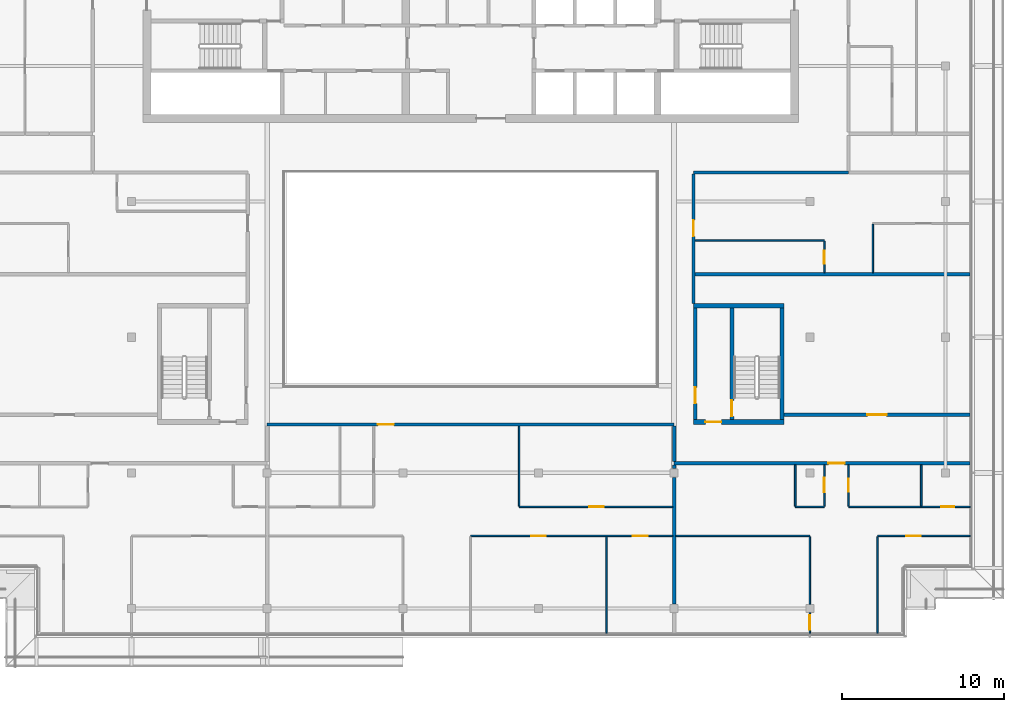
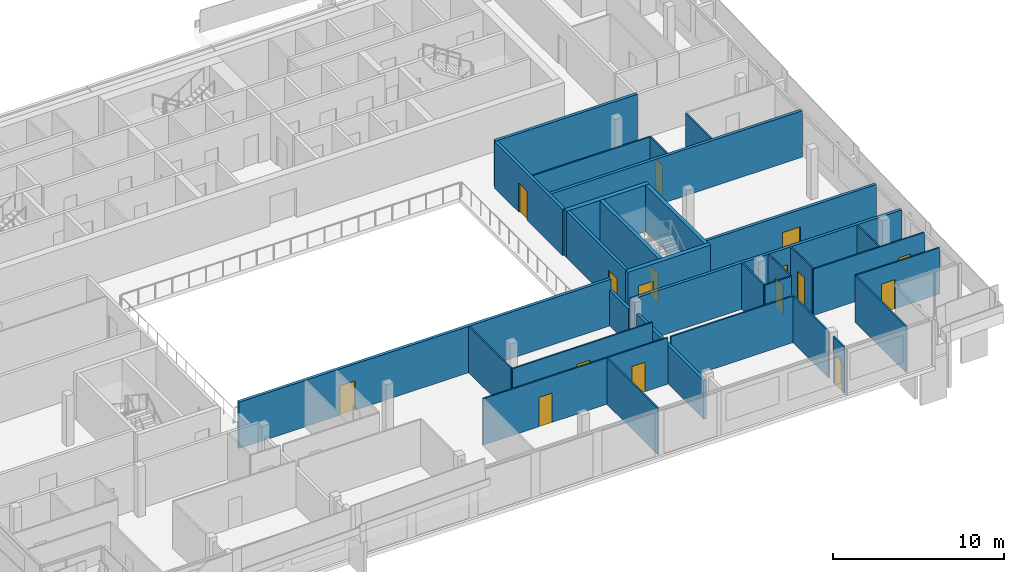
# One storey, part 16 of 27: 32 walls, 16 doors, 16 openings.
"""IFC4 building model written with IfcOpenShell, lengths in metres."""

from ifc_helpers import new_model, si_unit, direction, frame, frame_2d, origin, place, context, subcontext, project, spatial, rectangle, extrude, material, layer, layer_set, type_object, element, fill, save


model = new_model("IFC4")

# Units and contexts
model_context = context("Model", 3, precision=1e-05, world=origin(), true_north=direction((0.0, 1.0)))
body_context = subcontext(model_context, "Body", "Model", "MODEL_VIEW")
ifc_project = project(units=[si_unit("LENGTHUNIT", "METRE"), si_unit("AREAUNIT", "SQUARE_METRE"), si_unit("VOLUMEUNIT", "CUBIC_METRE"), si_unit("PLANEANGLEUNIT", "RADIAN"), si_unit("MASSUNIT", "GRAM", prefix="KILO")], contexts=[model_context])

# Site, building, storey
site_placement = place(None, origin())
site = spatial("IfcSite", under=ifc_project, at=site_placement, CompositionType="ELEMENT")
building_placement = place(site_placement, origin())
building = spatial("IfcBuilding", under=site, at=building_placement, Name="Saffron Gate Tower", CompositionType="ELEMENT")
storey_placement = place(building_placement, frame((0.0, 0.0, 274.35009765625)))
storey = spatial("IfcBuildingStorey", under=building, at=storey_placement, Name="L66", CompositionType="ELEMENT", Elevation=274.35009765625)

# Wall, opening, door
ifc_material_1 = material(Name="Gypsum board partition on steel studs", Category="steel")
ifc_layer_1 = layer(ifc_material_1, 0.199951171875)
ifc_layer_set_1 = layer_set([ifc_layer_1], Name="CW10 Core partition 200")
wall_type_1 = type_object("IfcWallType", Name="CW10 Core partition 200", PredefinedType="PARTITIONING", material=ifc_layer_set_1)
wall_1_placement = place(storey_placement, frame((101.5, 43.5, 0.0), z_axis=(0.0, 0.0, 1.0), x_axis=(0.0, 1.0, 0.0)))
wall_1 = element("IfcWall", 1, at=wall_1_placement, inside=storey, type_object=wall_type_1, Name="Wall CW10-L66-E-2", PredefinedType="PARTITIONING", context=body_context, shape_type="SweptSolid", body=[
    extrude(rectangle(XDim=6.89990234375, YDim=0.199951171875, at=frame_2d((3.449951171875, 0.0))), origin(), (0.0, 0.0, 1.0), 3.31982421875),
])
opening_1_placement = place(wall_1_placement, frame((1.0, 0.0, 0.0)))
opening_1 = element("IfcOpeningElement", 2, at=opening_1_placement, cuts=wall_1, Name="Opening CR-22", PredefinedType="OPENING", context=body_context, shape_type="SweptSolid", body=[
    extrude(rectangle(XDim=1.0, YDim=2.10009765625, at=frame_2d((0.5, 1.050048828125))), frame((0.0, 0.10986328125, 0.0), z_axis=(0.0, -1.0, 0.0), x_axis=(1.0, 0.0, 0.0)), (0.0, 0.0, 1.0), 0.219970703125),
])
ifc_material_2 = material(Name="Steel fire door set", Category="steel")
door_type_1 = type_object("IfcDoorType", Name="CD4 Lobby door 1000x2100 EI 120", OperationType="NOTDEFINED", PredefinedType="DOOR", material=ifc_material_2)
door_1_placement = place(opening_1_placement, origin())
door_1 = element("IfcDoor", 3, at=door_1_placement, inside=storey, type_object=door_type_1, Name="DOOR CR-22", OperationType="SINGLE_SWING_LEFT", OverallHeight=2.10009765625, OverallWidth=1.0, PredefinedType="DOOR", context=body_context, shape_type="SweptSolid", body=[
    extrude(rectangle(XDim=1.0, YDim=2.10009765625, at=frame_2d((0.5, 1.050048828125))), frame((0.0, 0.02490234375, 0.0), z_axis=(0.0, -1.0, 0.0), x_axis=(1.0, 0.0, 0.0)), (0.0, 0.0, 1.0), 0.050048828125),
])
fill(opening_1, door_1)

ifc_material_3 = material(Name="Concrete C50", Category="concrete")
ifc_layer_2 = layer(ifc_material_3, 0.25)
ifc_layer_set_2 = layer_set([ifc_layer_2], Name="CW23 RC core wall 250 C50")
wall_type_2 = type_object("IfcWallType", Name="CW23 RC core wall 250 C50", PredefinedType="SOLIDWALL", material=ifc_layer_set_2)
wall_2_placement = place(storey_placement, frame((103.77490234375, 43.5, 0.0), z_axis=(0.0, 0.0, 1.0), x_axis=(0.0, 1.0, 0.0)))
wall_2 = element("IfcWall", 4, at=wall_2_placement, inside=storey, type_object=wall_type_2, Name="Wall CW23-L66-E-3", PredefinedType="SOLIDWALL", context=body_context, shape_type="SweptSolid", body=[
    extrude(rectangle(XDim=6.89990234375, YDim=0.25, at=frame_2d((3.449951171875, 0.0))), origin(), (0.0, 0.0, 1.0), 3.31982421875),
])
opening_2_placement = place(wall_2_placement, frame((0.199951171875, 0.0, 0.0)))
opening_2 = element("IfcOpeningElement", 5, at=opening_2_placement, cuts=wall_2, Name="Opening CR-23", PredefinedType="OPENING", context=body_context, shape_type="SweptSolid", body=[
    extrude(rectangle(XDim=1.0, YDim=2.10009765625, at=frame_2d((0.5, 1.050048828125))), frame((0.0, 0.135009765625, 0.0), z_axis=(0.0, -1.0, 0.0), x_axis=(1.0, 0.0, 0.0)), (0.0, 0.0, 1.0), 0.27001953125),
])
door_type_2 = type_object("IfcDoorType", Name="CD5 Stair door 1000x2100 EI 120", OperationType="NOTDEFINED", PredefinedType="DOOR", material=ifc_material_2)
door_2_placement = place(opening_2_placement, origin())
door_2 = element("IfcDoor", 6, at=door_2_placement, inside=storey, type_object=door_type_2, Name="DOOR CR-23", OperationType="SINGLE_SWING_RIGHT", OverallHeight=2.10009765625, OverallWidth=1.0, PredefinedType="DOOR", context=body_context, shape_type="SweptSolid", body=[
    extrude(rectangle(XDim=1.0, YDim=2.10009765625, at=frame_2d((0.5, 1.050048828125))), frame((0.0, 0.02490234375, 0.0), z_axis=(0.0, -1.0, 0.0), x_axis=(1.0, 0.0, 0.0)), (0.0, 0.0, 1.0), 0.050048828125),
])
fill(opening_2, door_2)

# Wall
wall_3_placement = place(storey_placement, frame((106.875, 43.5, 0.0), z_axis=(0.0, 0.0, 1.0), x_axis=(0.0, 1.0, 0.0)))
element("IfcWall", 7, at=wall_3_placement, inside=storey, type_object=wall_type_2, Name="Wall CW23-L66-E-4", PredefinedType="SOLIDWALL", context=body_context, shape_type="SweptSolid", body=[
    extrude(rectangle(XDim=6.89990234375, YDim=0.25, at=frame_2d((3.449951171875, 0.0))), origin(), (0.0, 0.0, 1.0), 3.31982421875),
])

# Wall, opening, door
ifc_layer_3 = layer(ifc_material_3, 0.300048828125)
ifc_layer_set_3 = layer_set([ifc_layer_3], Name="CW26 RC core wall 300 C50")
wall_type_3 = type_object("IfcWallType", Name="CW26 RC core wall 300 C50", PredefinedType="SOLIDWALL", material=ifc_layer_set_3)
wall_4_placement = place(storey_placement, frame((101.39990234375, 43.35009765625, 0.0), z_axis=(0.0, 0.0, 1.0), x_axis=(1.0, 0.0, 0.0)))
wall_4 = element("IfcWall", 8, at=wall_4_placement, inside=storey, type_object=wall_type_3, Name="Wall CW26-L66-E-1", PredefinedType="SOLIDWALL", context=body_context, shape_type="SweptSolid", body=[
    extrude(rectangle(XDim=5.60009765625, YDim=0.300048828125, at=frame_2d((2.800048828125, 0.0))), origin(), (0.0, 0.0, 1.0), 3.31982421875),
])
opening_3_placement = place(wall_4_placement, frame((0.72509765625, 0.0, 0.0)))
opening_3 = element("IfcOpeningElement", 9, at=opening_3_placement, cuts=wall_4, Name="Opening CR-21", PredefinedType="OPENING", context=body_context, shape_type="SweptSolid", body=[
    extrude(rectangle(XDim=1.0, YDim=2.10009765625, at=frame_2d((0.5, 1.050048828125))), frame((0.0, 0.16015625, 0.0), z_axis=(0.0, -1.0, 0.0), x_axis=(1.0, 0.0, 0.0)), (0.0, 0.0, 1.0), 0.320068359375),
])
door_3_placement = place(opening_3_placement, origin())
door_3 = element("IfcDoor", 10, at=door_3_placement, inside=storey, type_object=door_type_1, Name="DOOR CR-21", OperationType="SINGLE_SWING_RIGHT", OverallHeight=2.10009765625, OverallWidth=1.0, PredefinedType="DOOR", context=body_context, shape_type="SweptSolid", body=[
    extrude(rectangle(XDim=1.0, YDim=2.10009765625, at=frame_2d((0.5, 1.050048828125))), frame((0.0, 0.02490234375, 0.0), z_axis=(0.0, -1.0, 0.0), x_axis=(1.0, 0.0, 0.0)), (0.0, 0.0, 1.0), 0.050048828125),
])
fill(opening_3, door_3)

# Wall
wall_5_placement = place(storey_placement, frame((101.39990234375, 50.550048828125, 0.0), z_axis=(0.0, 0.0, 1.0), x_axis=(1.0, 0.0, 0.0)))
element("IfcWall", 11, at=wall_5_placement, inside=storey, type_object=wall_type_3, Name="Wall CW26-L66-E-5", PredefinedType="SOLIDWALL", context=body_context, shape_type="SweptSolid", body=[
    extrude(rectangle(XDim=5.60009765625, YDim=0.300048828125, at=frame_2d((2.800048828125, 0.0))), origin(), (0.0, 0.0, 1.0), 3.31982421875),
])

# Wall, opening, door
ifc_material_4 = material(Name="Plasterboard on steel studs", Category="steel")
ifc_layer_4 = layer(ifc_material_4, 0.10009765625)
ifc_layer_set_4 = layer_set([ifc_layer_4], Name="PW1 Partition 100")
wall_type_4 = type_object("IfcWallType", Name="PW1 Partition 100", PredefinedType="PARTITIONING", material=ifc_layer_set_4)
wall_6_placement = place(storey_placement, frame((118.52001953125, 36.300048828125, 0.0), z_axis=(0.0, 0.0, 1.0), x_axis=(-1.0, 0.0, 0.0)))
wall_6 = element("IfcWall", 12, at=wall_6_placement, inside=storey, type_object=wall_type_4, Name="Partition E3-2", PredefinedType="PARTITIONING", context=body_context, shape_type="SweptSolid", body=[
    extrude(rectangle(XDim=5.719970703125, YDim=0.10009765625, at=frame_2d((2.85986328125, 0.0))), origin(), (0.0, 0.0, 1.0), 3.31982421875),
])
opening_4_placement = place(wall_6_placement, frame((3.0576171875, 0.0, 0.0)))
opening_4 = element("IfcOpeningElement", 13, at=opening_4_placement, cuts=wall_6, Name="Opening E3-16", PredefinedType="OPENING", context=body_context, shape_type="SweptSolid", body=[
    extrude(rectangle(XDim=0.89990234375, YDim=2.10009765625, at=frame_2d((0.449951171875, 1.050048828125))), frame((0.0, 0.06005859375, 0.0), z_axis=(0.0, -1.0, 0.0), x_axis=(1.0, 0.0, 0.0)), (0.0, 0.0, 1.0), 0.1201171875),
])
ifc_material_5 = material(Name="Timber door set", Category="wood")
door_type_3 = type_object("IfcDoorType", Name="RD1 Room door 900x2100", OperationType="NOTDEFINED", PredefinedType="DOOR", material=ifc_material_5)
door_4_placement = place(opening_4_placement, origin())
door_4 = element("IfcDoor", 14, at=door_4_placement, inside=storey, type_object=door_type_3, Name="Door E3-16", OperationType="SINGLE_SWING_RIGHT", OverallHeight=2.10009765625, OverallWidth=0.89990234375, PredefinedType="DOOR", context=body_context, shape_type="SweptSolid", body=[
    extrude(rectangle(XDim=0.89990234375, YDim=2.10009765625, at=frame_2d((0.449951171875, 1.050048828125))), frame((0.0, 0.02490234375, 0.0), z_axis=(0.0, -1.0, 0.0), x_axis=(1.0, 0.0, 0.0)), (0.0, 0.0, 1.0), 0.050048828125),
])
fill(opening_4, door_4)

wall_7_placement = place(storey_placement, frame((90.60009765625, 38.10009765625, 0.0), z_axis=(0.0, 0.0, 1.0), x_axis=(1.0, 0.0, 0.0)))
wall_7 = element("IfcWall", 15, at=wall_7_placement, inside=storey, type_object=wall_type_4, Name="Partition E3-4", PredefinedType="PARTITIONING", context=body_context, shape_type="SweptSolid", body=[
    extrude(rectangle(XDim=9.5, YDim=0.10009765625, at=frame_2d((4.75, 0.0))), origin(), (0.0, 0.0, 1.0), 3.31982421875),
])
opening_5_placement = place(wall_7_placement, frame((4.35009765625, 0.0, 0.0)))
opening_5 = element("IfcOpeningElement", 16, at=opening_5_placement, cuts=wall_7, Name="Opening E3-14", PredefinedType="OPENING", context=body_context, shape_type="SweptSolid", body=[
    extrude(rectangle(XDim=0.89990234375, YDim=2.10009765625, at=frame_2d((0.449951171875, 1.050048828125))), frame((0.0, 0.06005859375, 0.0), z_axis=(0.0, -1.0, 0.0), x_axis=(1.0, 0.0, 0.0)), (0.0, 0.0, 1.0), 0.1201171875),
])
door_5_placement = place(opening_5_placement, origin())
door_5 = element("IfcDoor", 17, at=door_5_placement, inside=storey, type_object=door_type_3, Name="Door E3-14", OperationType="SINGLE_SWING_RIGHT", OverallHeight=2.10009765625, OverallWidth=0.89990234375, PredefinedType="DOOR", context=body_context, shape_type="SweptSolid", body=[
    extrude(rectangle(XDim=0.89990234375, YDim=2.10009765625, at=frame_2d((0.449951171875, 1.050048828125))), frame((0.0, 0.02490234375, 0.0), z_axis=(0.0, -1.0, 0.0), x_axis=(1.0, 0.0, 0.0)), (0.0, 0.0, 1.0), 0.050048828125),
])
fill(opening_5, door_5)

# Wall
wall_8_placement = place(storey_placement, frame((107.699951171875, 38.10009765625, 0.0), z_axis=(0.0, 0.0, 1.0), x_axis=(1.0, 0.0, 0.0)))
element("IfcWall", 18, at=wall_8_placement, inside=storey, type_object=wall_type_4, Name="Partition E3-5", PredefinedType="PARTITIONING", context=body_context, shape_type="SweptSolid", body=[
    extrude(rectangle(XDim=1.800048828125, YDim=0.10009765625, at=frame_2d((0.89990234375, 0.0))), origin(), (0.0, 0.0, 1.0), 3.31982421875),
])

# Wall, opening, door
wall_9_placement = place(storey_placement, frame((111.0, 38.10009765625, 0.0), z_axis=(0.0, 0.0, 1.0), x_axis=(1.0, 0.0, 0.0)))
wall_9 = element("IfcWall", 19, at=wall_9_placement, inside=storey, type_object=wall_type_4, Name="Partition E3-6", PredefinedType="PARTITIONING", context=body_context, shape_type="SweptSolid", body=[
    extrude(rectangle(XDim=7.52001953125, YDim=0.10009765625, at=frame_2d((3.760009765625, 0.0))), origin(), (0.0, 0.0, 1.0), 3.31982421875),
])
opening_6_placement = place(wall_9_placement, frame((5.75, 0.0, 0.0)))
opening_6 = element("IfcOpeningElement", 20, at=opening_6_placement, cuts=wall_9, Name="Opening E3-27", PredefinedType="OPENING", context=body_context, shape_type="SweptSolid", body=[
    extrude(rectangle(XDim=0.800048828125, YDim=2.10009765625, at=frame_2d((0.39990234375, 1.050048828125))), frame((0.0, 0.06005859375, 0.0), z_axis=(0.0, -1.0, 0.0), x_axis=(1.0, 0.0, 0.0)), (0.0, 0.0, 1.0), 0.1201171875),
])
door_type_4 = type_object("IfcDoorType", Name="RD2 Bathroom door 800x2100", OperationType="NOTDEFINED", PredefinedType="DOOR", material=ifc_material_5)
door_6_placement = place(opening_6_placement, origin())
door_6 = element("IfcDoor", 21, at=door_6_placement, inside=storey, type_object=door_type_4, Name="Door E3-27", OperationType="SINGLE_SWING_RIGHT", OverallHeight=2.10009765625, OverallWidth=0.800048828125, PredefinedType="DOOR", context=body_context, shape_type="SweptSolid", body=[
    extrude(rectangle(XDim=0.800048828125, YDim=2.10009765625, at=frame_2d((0.39990234375, 1.050048828125))), frame((0.0, 0.02490234375, 0.0), z_axis=(0.0, -1.0, 0.0), x_axis=(1.0, 0.0, 0.0)), (0.0, 0.0, 1.0), 0.050048828125),
])
fill(opening_6, door_6)

# Walls
wall_10_placement = place(storey_placement, frame((101.5, 54.60009765625, 0.0), z_axis=(0.0, 0.0, 1.0), x_axis=(1.0, 0.0, 0.0)))
element("IfcWall", 22, at=wall_10_placement, inside=storey, type_object=wall_type_4, Name="Partition E3-14", PredefinedType="PARTITIONING", context=body_context, shape_type="SweptSolid", body=[
    extrude(rectangle(XDim=8.0, YDim=0.10009765625, at=frame_2d((4.0, 0.0))), origin(), (0.0, 0.0, 1.0), 3.31982421875),
])
wall_11_placement = place(storey_placement, frame((90.60009765625, 43.10009765625, 0.0), z_axis=(0.0, 0.0, 1.0), x_axis=(0.0, -1.0, 0.0)))
element("IfcWall", 23, at=wall_11_placement, inside=storey, type_object=wall_type_4, Name="Partition E3-54", PredefinedType="PARTITIONING", context=body_context, shape_type="SweptSolid", body=[
    extrude(rectangle(XDim=4.9501953125, YDim=0.10009765625, at=frame_2d((2.47509765625, 0.0))), origin(), (0.0, 0.0, 1.0), 3.31982421875),
])
wall_12_placement = place(storey_placement, frame((96.0, 36.25, 0.0), z_axis=(0.0, 0.0, 1.0), x_axis=(0.0, -1.0, 0.0)))
element("IfcWall", 24, at=wall_12_placement, inside=storey, type_object=wall_type_4, Name="Partition E3-55", PredefinedType="PARTITIONING", context=body_context, shape_type="SweptSolid", body=[
    extrude(rectangle(XDim=5.969970703125, YDim=0.10009765625, at=frame_2d((2.98486328125, 0.0))), origin(), (0.0, 0.0, 1.0), 3.31982421875),
])
wall_13_placement = place(storey_placement, frame((107.699951171875, 40.699951171875, 0.0), z_axis=(0.0, 0.0, 1.0), x_axis=(0.0, -1.0, 0.0)))
element("IfcWall", 25, at=wall_13_placement, inside=storey, type_object=wall_type_4, Name="Partition E3-61", PredefinedType="PARTITIONING", context=body_context, shape_type="SweptSolid", body=[
    extrude(rectangle(XDim=2.550048828125, YDim=0.10009765625, at=frame_2d((1.27490234375, 0.0))), origin(), (0.0, 0.0, 1.0), 3.31982421875),
])

# Wall, opening, door
wall_14_placement = place(storey_placement, frame((108.60009765625, 30.280029296875, 0.0), z_axis=(0.0, 0.0, 1.0), x_axis=(0.0, 1.0, 0.0)))
wall_14 = element("IfcWall", 26, at=wall_14_placement, inside=storey, type_object=wall_type_4, Name="Partition E3-62", PredefinedType="PARTITIONING", context=body_context, shape_type="SweptSolid", body=[
    extrude(rectangle(XDim=1.25, YDim=0.10009765625, at=frame_2d((0.625, 0.0))), origin(), (0.0, 0.0, 1.0), 3.31982421875),
])
opening_7_placement = place(wall_14_placement, frame((0.199951171875, 0.0, 0.0)))
opening_7 = element("IfcOpeningElement", 27, at=opening_7_placement, cuts=wall_14, Name="Opening E3-15", PredefinedType="OPENING", context=body_context, shape_type="SweptSolid", body=[
    extrude(rectangle(XDim=0.89990234375, YDim=2.10009765625, at=frame_2d((0.449951171875, 1.050048828125))), frame((0.0, 0.06005859375, 0.0), z_axis=(0.0, -1.0, 0.0), x_axis=(1.0, 0.0, 0.0)), (0.0, 0.0, 1.0), 0.1201171875),
])
door_7_placement = place(opening_7_placement, origin())
door_7 = element("IfcDoor", 28, at=door_7_placement, inside=storey, type_object=door_type_3, Name="Door E3-15", OperationType="SINGLE_SWING_RIGHT", OverallHeight=2.10009765625, OverallWidth=0.89990234375, PredefinedType="DOOR", context=body_context, shape_type="SweptSolid", body=[
    extrude(rectangle(XDim=0.89990234375, YDim=2.10009765625, at=frame_2d((0.449951171875, 1.050048828125))), frame((0.0, 0.02490234375, 0.0), z_axis=(0.0, -1.0, 0.0), x_axis=(1.0, 0.0, 0.0)), (0.0, 0.0, 1.0), 0.050048828125),
])
fill(opening_7, door_7)

# Wall
wall_15_placement = place(storey_placement, frame((108.60009765625, 36.25, 0.0), z_axis=(0.0, 0.0, 1.0), x_axis=(0.0, -1.0, 0.0)))
element("IfcWall", 29, at=wall_15_placement, inside=storey, type_object=wall_type_4, Name="Partition E3-63", PredefinedType="PARTITIONING", context=body_context, shape_type="SweptSolid", body=[
    extrude(rectangle(XDim=4.179931640625, YDim=0.10009765625, at=frame_2d((2.08984375, 0.0))), origin(), (0.0, 0.0, 1.0), 3.31982421875),
])

# Wall, opening, door
wall_16_placement = place(storey_placement, frame((109.5, 38.14990234375, 0.0), z_axis=(0.0, 0.0, 1.0), x_axis=(0.0, 1.0, 0.0)))
wall_16 = element("IfcWall", 30, at=wall_16_placement, inside=storey, type_object=wall_type_4, Name="Partition E3-64", PredefinedType="PARTITIONING", context=body_context, shape_type="SweptSolid", body=[
    extrude(rectangle(XDim=2.550048828125, YDim=0.10009765625, at=frame_2d((1.27490234375, 0.0))), origin(), (0.0, 0.0, 1.0), 3.31982421875),
])
opening_8_placement = place(wall_16_placement, frame((0.85009765625, 0.0, 0.0)))
opening_8 = element("IfcOpeningElement", 31, at=opening_8_placement, cuts=wall_16, Name="Opening E3-17", PredefinedType="OPENING", context=body_context, shape_type="SweptSolid", body=[
    extrude(rectangle(XDim=0.89990234375, YDim=2.10009765625, at=frame_2d((0.449951171875, 1.050048828125))), frame((0.0, 0.06005859375, 0.0), z_axis=(0.0, -1.0, 0.0), x_axis=(1.0, 0.0, 0.0)), (0.0, 0.0, 1.0), 0.1201171875),
])
door_8_placement = place(opening_8_placement, origin())
door_8 = element("IfcDoor", 32, at=door_8_placement, inside=storey, type_object=door_type_3, Name="Door E3-17", OperationType="SINGLE_SWING_RIGHT", OverallHeight=2.10009765625, OverallWidth=0.89990234375, PredefinedType="DOOR", context=body_context, shape_type="SweptSolid", body=[
    extrude(rectangle(XDim=0.89990234375, YDim=2.10009765625, at=frame_2d((0.449951171875, 1.050048828125))), frame((0.0, 0.02490234375, 0.0), z_axis=(0.0, -1.0, 0.0), x_axis=(1.0, 0.0, 0.0)), (0.0, 0.0, 1.0), 0.050048828125),
])
fill(opening_8, door_8)

wall_17_placement = place(storey_placement, frame((109.5, 52.60009765625, 0.0), z_axis=(0.0, 0.0, 1.0), x_axis=(0.0, 1.0, 0.0)))
wall_17 = element("IfcWall", 33, at=wall_17_placement, inside=storey, type_object=wall_type_4, Name="Partition E3-65", PredefinedType="PARTITIONING", context=body_context, shape_type="SweptSolid", body=[
    extrude(rectangle(XDim=1.949951171875, YDim=0.10009765625, at=frame_2d((0.97509765625, 0.0))), origin(), (0.0, 0.0, 1.0), 3.31982421875),
])
opening_9_placement = place(wall_17_placement, frame((0.550048828125, 0.0, 0.0)))
opening_9 = element("IfcOpeningElement", 34, at=opening_9_placement, cuts=wall_17, Name="Opening E3-30", PredefinedType="OPENING", context=body_context, shape_type="SweptSolid", body=[
    extrude(rectangle(XDim=0.800048828125, YDim=2.10009765625, at=frame_2d((0.39990234375, 1.050048828125))), frame((0.0, 0.06005859375, 0.0), z_axis=(0.0, -1.0, 0.0), x_axis=(1.0, 0.0, 0.0)), (0.0, 0.0, 1.0), 0.1201171875),
])
door_9_placement = place(opening_9_placement, origin())
door_9 = element("IfcDoor", 35, at=door_9_placement, inside=storey, type_object=door_type_4, Name="Door E3-30", OperationType="SINGLE_SWING_LEFT", OverallHeight=2.10009765625, OverallWidth=0.800048828125, PredefinedType="DOOR", context=body_context, shape_type="SweptSolid", body=[
    extrude(rectangle(XDim=0.800048828125, YDim=2.10009765625, at=frame_2d((0.39990234375, 1.050048828125))), frame((0.0, 0.02490234375, 0.0), z_axis=(0.0, -1.0, 0.0), x_axis=(1.0, 0.0, 0.0)), (0.0, 0.0, 1.0), 0.050048828125),
])
fill(opening_9, door_9)

wall_18_placement = place(storey_placement, frame((111.0, 40.699951171875, 0.0), z_axis=(0.0, 0.0, 1.0), x_axis=(0.0, -1.0, 0.0)))
wall_18 = element("IfcWall", 36, at=wall_18_placement, inside=storey, type_object=wall_type_4, Name="Partition E3-68", PredefinedType="PARTITIONING", context=body_context, shape_type="SweptSolid", body=[
    extrude(rectangle(XDim=2.550048828125, YDim=0.10009765625, at=frame_2d((1.27490234375, 0.0))), origin(), (0.0, 0.0, 1.0), 3.31982421875),
])
opening_10_placement = place(wall_18_placement, frame((0.85009765625, 0.0, 0.0)))
opening_10 = element("IfcOpeningElement", 37, at=opening_10_placement, cuts=wall_18, Name="Opening E3-26", PredefinedType="OPENING", context=body_context, shape_type="SweptSolid", body=[
    extrude(rectangle(XDim=0.800048828125, YDim=2.10009765625, at=frame_2d((0.39990234375, 1.050048828125))), frame((0.0, 0.06005859375, 0.0), z_axis=(0.0, -1.0, 0.0), x_axis=(1.0, 0.0, 0.0)), (0.0, 0.0, 1.0), 0.1201171875),
])
door_10_placement = place(opening_10_placement, origin())
door_10 = element("IfcDoor", 38, at=door_10_placement, inside=storey, type_object=door_type_4, Name="Door E3-26", OperationType="SINGLE_SWING_LEFT", OverallHeight=2.10009765625, OverallWidth=0.800048828125, PredefinedType="DOOR", context=body_context, shape_type="SweptSolid", body=[
    extrude(rectangle(XDim=0.800048828125, YDim=2.10009765625, at=frame_2d((0.39990234375, 1.050048828125))), frame((0.0, 0.02490234375, 0.0), z_axis=(0.0, -1.0, 0.0), x_axis=(1.0, 0.0, 0.0)), (0.0, 0.0, 1.0), 0.050048828125),
])
fill(opening_10, door_10)

# Walls
wall_19_placement = place(storey_placement, frame((112.5, 55.60009765625, 0.0), z_axis=(0.0, 0.0, 1.0), x_axis=(0.0, -1.0, 0.0)))
element("IfcWall", 39, at=wall_19_placement, inside=storey, type_object=wall_type_4, Name="Partition E3-69", PredefinedType="PARTITIONING", context=body_context, shape_type="SweptSolid", body=[
    extrude(rectangle(XDim=3.0, YDim=0.10009765625, at=frame_2d((1.5, 0.0))), origin(), (0.0, 0.0, 1.0), 3.31982421875),
])
wall_20_placement = place(storey_placement, frame((112.800048828125, 36.25, 0.0), z_axis=(0.0, 0.0, 1.0), x_axis=(0.0, -1.0, 0.0)))
element("IfcWall", 40, at=wall_20_placement, inside=storey, type_object=wall_type_4, Name="Partition E3-70", PredefinedType="PARTITIONING", context=body_context, shape_type="SweptSolid", body=[
    extrude(rectangle(XDim=5.969970703125, YDim=0.10009765625, at=frame_2d((2.98486328125, 0.0))), origin(), (0.0, 0.0, 1.0), 3.31982421875),
])
wall_21_placement = place(storey_placement, frame((115.5, 40.699951171875, 0.0), z_axis=(0.0, 0.0, 1.0), x_axis=(0.0, -1.0, 0.0)))
element("IfcWall", 41, at=wall_21_placement, inside=storey, type_object=wall_type_4, Name="Partition E3-73", PredefinedType="PARTITIONING", context=body_context, shape_type="SweptSolid", body=[
    extrude(rectangle(XDim=2.550048828125, YDim=0.10009765625, at=frame_2d((1.27490234375, 0.0))), origin(), (0.0, 0.0, 1.0), 3.31982421875),
])

# Wall, openings, doors
wall_22_placement = place(storey_placement, frame((100.10009765625, 36.300048828125, 0.0), z_axis=(0.0, 0.0, 1.0), x_axis=(-1.0, 0.0, 0.0)))
wall_22 = element("IfcWall", 42, at=wall_22_placement, inside=storey, type_object=wall_type_4, Name="Partition E3-76", PredefinedType="PARTITIONING", context=body_context, shape_type="SweptSolid", body=[
    extrude(rectangle(XDim=12.5, YDim=0.10009765625, at=frame_2d((6.25, 0.0))), origin(), (0.0, 0.0, 1.0), 3.31982421875),
])
opening_11_placement = place(wall_22_placement, frame((1.550048828125, 0.0, 0.0)))
opening_11 = element("IfcOpeningElement", 43, at=opening_11_placement, cuts=wall_22, Name="Opening E3-13", PredefinedType="OPENING", context=body_context, shape_type="SweptSolid", body=[
    extrude(rectangle(XDim=0.89990234375, YDim=2.10009765625, at=frame_2d((0.449951171875, 1.050048828125))), frame((0.0, 0.06005859375, 0.0), z_axis=(0.0, -1.0, 0.0), x_axis=(1.0, 0.0, 0.0)), (0.0, 0.0, 1.0), 0.1201171875),
])
opening_12_placement = place(wall_22_placement, frame((7.85009765625, 0.0, 0.0)))
opening_12 = element("IfcOpeningElement", 44, at=opening_12_placement, cuts=wall_22, Name="Opening E3-12", PredefinedType="OPENING", context=body_context, shape_type="SweptSolid", body=[
    extrude(rectangle(XDim=0.89990234375, YDim=2.10009765625, at=frame_2d((0.449951171875, 1.050048828125))), frame((0.0, 0.06005859375, 0.0), z_axis=(0.0, -1.0, 0.0), x_axis=(1.0, 0.0, 0.0)), (0.0, 0.0, 1.0), 0.1201171875),
])
door_11_placement = place(opening_11_placement, origin())
door_11 = element("IfcDoor", 45, at=door_11_placement, inside=storey, type_object=door_type_3, Name="Door E3-13", OperationType="SINGLE_SWING_LEFT", OverallHeight=2.10009765625, OverallWidth=0.89990234375, PredefinedType="DOOR", context=body_context, shape_type="SweptSolid", body=[
    extrude(rectangle(XDim=0.89990234375, YDim=2.10009765625, at=frame_2d((0.449951171875, 1.050048828125))), frame((0.0, 0.02490234375, 0.0), z_axis=(0.0, -1.0, 0.0), x_axis=(1.0, 0.0, 0.0)), (0.0, 0.0, 1.0), 0.050048828125),
])
fill(opening_11, door_11)
door_12_placement = place(opening_12_placement, origin())
door_12 = element("IfcDoor", 46, at=door_12_placement, inside=storey, type_object=door_type_3, Name="Door E3-12", OperationType="SINGLE_SWING_RIGHT", OverallHeight=2.10009765625, OverallWidth=0.89990234375, PredefinedType="DOOR", context=body_context, shape_type="SweptSolid", body=[
    extrude(rectangle(XDim=0.89990234375, YDim=2.10009765625, at=frame_2d((0.449951171875, 1.050048828125))), frame((0.0, 0.02490234375, 0.0), z_axis=(0.0, -1.0, 0.0), x_axis=(1.0, 0.0, 0.0)), (0.0, 0.0, 1.0), 0.050048828125),
])
fill(opening_12, door_12)

# Walls
wall_23_placement = place(storey_placement, frame((100.300048828125, 36.300048828125, 0.0), z_axis=(0.0, 0.0, 1.0), x_axis=(1.0, 0.0, 0.0)))
element("IfcWall", 47, at=wall_23_placement, inside=storey, type_object=wall_type_4, Name="Partition E3-77", PredefinedType="PARTITIONING", context=body_context, shape_type="SweptSolid", body=[
    extrude(rectangle(XDim=8.300048828125, YDim=0.10009765625, at=frame_2d((4.14990234375, 0.0))), origin(), (0.0, 0.0, 1.0), 3.31982421875),
])
ifc_material_6 = material(Name="Clay brick masonry, rendered", Category="masonry")
ifc_layer_5 = layer(ifc_material_6, 0.199951171875)
ifc_layer_set_5 = layer_set([ifc_layer_5], Name="PW2 Demising wall 200")
wall_type_5 = type_object("IfcWallType", Name="PW2 Demising wall 200", PredefinedType="PARTITIONING", material=ifc_layer_set_5)
wall_24_placement = place(storey_placement, frame((100.199951171875, 39.929931640625, 0.0), z_axis=(0.0, 0.0, 1.0), x_axis=(0.0, -1.0, 0.0)))
element("IfcWall", 48, at=wall_24_placement, inside=storey, type_object=wall_type_5, Name="Wall E3-58", PredefinedType="PARTITIONING", context=body_context, shape_type="SweptSolid", body=[
    extrude(rectangle(XDim=7.85986328125, YDim=0.199951171875, at=frame_2d((3.929931640625, 0.0))), origin(), (0.0, 0.0, 1.0), 2.77001953125),
])
wall_25_placement = place(storey_placement, frame((100.199951171875, 40.699951171875, 0.0), z_axis=(0.0, 0.0, 1.0), x_axis=(0.0, -1.0, 0.0)))
element("IfcWall", 49, at=wall_25_placement, inside=storey, type_object=wall_type_5, Name="Wall E3-59", PredefinedType="PARTITIONING", context=body_context, shape_type="SweptSolid", body=[
    extrude(rectangle(XDim=0.22998046875, YDim=0.199951171875, at=frame_2d((0.114990234375, 0.0))), origin(), (0.0, 0.0, 1.0), 3.31982421875),
])

# Wall, opening, door
ifc_layer_6 = layer(ifc_material_6, 0.199951171875)
ifc_layer_set_6 = layer_set([ifc_layer_6], Name="PW3 Corridor wall 200")
wall_type_6 = type_object("IfcWallType", Name="PW3 Corridor wall 200", PredefinedType="PARTITIONING", material=ifc_layer_set_6)
wall_26_placement = place(storey_placement, frame((118.52001953125, 40.800048828125, 0.0), z_axis=(0.0, 0.0, 1.0), x_axis=(-1.0, 0.0, 0.0)))
wall_26 = element("IfcWall", 50, at=wall_26_placement, inside=storey, type_object=wall_type_6, Name="Wall E3-8", PredefinedType="PARTITIONING", context=body_context, shape_type="SweptSolid", body=[
    extrude(rectangle(XDim=18.320068359375, YDim=0.199951171875, at=frame_2d((9.16015625, 0.0))), origin(), (0.0, 0.0, 1.0), 3.31982421875),
])
opening_13_placement = place(wall_26_placement, frame((7.77001953125, 0.0, 0.0)))
opening_13 = element("IfcOpeningElement", 51, at=opening_13_placement, cuts=wall_26, Name="Opening E3-3", PredefinedType="OPENING", context=body_context, shape_type="SweptSolid", body=[
    extrude(rectangle(XDim=1.0, YDim=2.10009765625, at=frame_2d((0.5, 1.050048828125))), frame((0.0, 0.10986328125, 0.0), z_axis=(0.0, -1.0, 0.0), x_axis=(1.0, 0.0, 0.0)), (0.0, 0.0, 1.0), 0.219970703125),
])
ifc_material_7 = material(Name="Timber fire door set", Category="wood")
door_type_5 = type_object("IfcDoorType", Name="FD1 Flat entry door 1000x2100", OperationType="NOTDEFINED", PredefinedType="DOOR", material=ifc_material_7)
door_13_placement = place(opening_13_placement, origin())
door_13 = element("IfcDoor", 52, at=door_13_placement, inside=storey, type_object=door_type_5, Name="Door E3-3", OperationType="SINGLE_SWING_RIGHT", OverallHeight=2.10009765625, OverallWidth=1.0, PredefinedType="DOOR", context=body_context, shape_type="SweptSolid", body=[
    extrude(rectangle(XDim=1.0, YDim=2.10009765625, at=frame_2d((0.5, 1.050048828125))), frame((0.0, 0.02490234375, 0.0), z_axis=(0.0, -1.0, 0.0), x_axis=(1.0, 0.0, 0.0)), (0.0, 0.0, 1.0), 0.050048828125),
])
fill(opening_13, door_13)

wall_27_placement = place(storey_placement, frame((100.199951171875, 43.199951171875, 0.0), z_axis=(0.0, 0.0, 1.0), x_axis=(-1.0, 0.0, 0.0)))
wall_27 = element("IfcWall", 53, at=wall_27_placement, inside=storey, type_object=wall_type_6, Name="Wall E3-9", PredefinedType="PARTITIONING", context=body_context, shape_type="SweptSolid", body=[
    extrude(rectangle(XDim=25.199951171875, YDim=0.199951171875, at=frame_2d((12.60009765625, 0.0))), origin(), (0.0, 0.0, 1.0), 3.31982421875),
])
opening_14_placement = place(wall_27_placement, frame((17.35009765625, 0.0, 0.0)))
opening_14 = element("IfcOpeningElement", 54, at=opening_14_placement, cuts=wall_27, Name="Opening E3-2", PredefinedType="OPENING", context=body_context, shape_type="SweptSolid", body=[
    extrude(rectangle(XDim=1.0, YDim=2.10009765625, at=frame_2d((0.5, 1.050048828125))), frame((0.0, 0.10986328125, 0.0), z_axis=(0.0, -1.0, 0.0), x_axis=(1.0, 0.0, 0.0)), (0.0, 0.0, 1.0), 0.219970703125),
])
door_14_placement = place(opening_14_placement, origin())
door_14 = element("IfcDoor", 55, at=door_14_placement, inside=storey, type_object=door_type_5, Name="Door E3-2", OperationType="SINGLE_SWING_RIGHT", OverallHeight=2.10009765625, OverallWidth=1.0, PredefinedType="DOOR", context=body_context, shape_type="SweptSolid", body=[
    extrude(rectangle(XDim=1.0, YDim=2.10009765625, at=frame_2d((0.5, 1.050048828125))), frame((0.0, 0.02490234375, 0.0), z_axis=(0.0, -1.0, 0.0), x_axis=(1.0, 0.0, 0.0)), (0.0, 0.0, 1.0), 0.050048828125),
])
fill(opening_14, door_14)

wall_28_placement = place(storey_placement, frame((107.0, 43.800048828125, 0.0), z_axis=(0.0, 0.0, 1.0), x_axis=(1.0, 0.0, 0.0)))
wall_28 = element("IfcWall", 56, at=wall_28_placement, inside=storey, type_object=wall_type_6, Name="Wall E3-11", PredefinedType="PARTITIONING", context=body_context, shape_type="SweptSolid", body=[
    extrude(rectangle(XDim=11.52001953125, YDim=0.199951171875, at=frame_2d((5.760009765625, 0.0))), origin(), (0.0, 0.0, 1.0), 3.31982421875),
])
opening_15_placement = place(wall_28_placement, frame((5.159912109375, 0.0, 0.0)))
opening_15 = element("IfcOpeningElement", 57, at=opening_15_placement, cuts=wall_28, Name="Opening E3-32", PredefinedType="OPENING", context=body_context, shape_type="SweptSolid", body=[
    extrude(rectangle(XDim=1.199951171875, YDim=2.10009765625, at=frame_2d((0.60009765625, 1.050048828125))), frame((0.0, 0.10986328125, 0.0), z_axis=(0.0, -1.0, 0.0), x_axis=(1.0, 0.0, 0.0)), (0.0, 0.0, 1.0), 0.219970703125),
])
door_type_6 = type_object("IfcDoorType", Name="HD1 Hall door 1200x2100", OperationType="NOTDEFINED", PredefinedType="DOOR", material=ifc_material_5)
door_15_placement = place(opening_15_placement, origin())
door_15 = element("IfcDoor", 58, at=door_15_placement, inside=storey, type_object=door_type_6, Name="Door E3-32", OperationType="SINGLE_SWING_LEFT", OverallHeight=2.10009765625, OverallWidth=1.199951171875, PredefinedType="DOOR", context=body_context, shape_type="SweptSolid", body=[
    extrude(rectangle(XDim=1.199951171875, YDim=2.10009765625, at=frame_2d((0.60009765625, 1.050048828125))), frame((0.0, 0.02490234375, 0.0), z_axis=(0.0, -1.0, 0.0), x_axis=(1.0, 0.0, 0.0)), (0.0, 0.0, 1.0), 0.050048828125),
])
fill(opening_15, door_15)

# Walls
wall_29_placement = place(storey_placement, frame((101.39990234375, 58.800048828125, 0.0), z_axis=(0.0, 0.0, 1.0), x_axis=(1.0, 0.0, 0.0)))
element("IfcWall", 59, at=wall_29_placement, inside=storey, type_object=wall_type_6, Name="Wall E3-19", PredefinedType="PARTITIONING", context=body_context, shape_type="SweptSolid", body=[
    extrude(rectangle(XDim=9.60009765625, YDim=0.199951171875, at=frame_2d((4.800048828125, 0.0))), origin(), (0.0, 0.0, 1.0), 3.31982421875),
])
wall_30_placement = place(storey_placement, frame((100.199951171875, 43.10009765625, 0.0), z_axis=(0.0, 0.0, 1.0), x_axis=(0.0, -1.0, 0.0)))
element("IfcWall", 60, at=wall_30_placement, inside=storey, type_object=wall_type_6, Name="Wall E3-56", PredefinedType="PARTITIONING", context=body_context, shape_type="SweptSolid", body=[
    extrude(rectangle(XDim=2.2001953125, YDim=0.199951171875, at=frame_2d((1.10009765625, 0.0))), origin(), (0.0, 0.0, 1.0), 2.52978515625),
])

# Wall, opening, door
wall_31_placement = place(storey_placement, frame((101.39990234375, 58.699951171875, 0.0), z_axis=(0.0, 0.0, 1.0), x_axis=(0.0, -1.0, 0.0)))
wall_31 = element("IfcWall", 61, at=wall_31_placement, inside=storey, type_object=wall_type_6, Name="Wall E3-60", PredefinedType="PARTITIONING", context=body_context, shape_type="SweptSolid", body=[
    extrude(rectangle(XDim=8.0, YDim=0.199951171875, at=frame_2d((4.0, 0.0))), origin(), (0.0, 0.0, 1.0), 3.31982421875),
])
opening_16_placement = place(wall_31_placement, frame((2.85009765625, 0.0, 0.0)))
opening_16 = element("IfcOpeningElement", 62, at=opening_16_placement, cuts=wall_31, Name="Opening E3-6", PredefinedType="OPENING", context=body_context, shape_type="SweptSolid", body=[
    extrude(rectangle(XDim=1.0, YDim=2.10009765625, at=frame_2d((0.5, 1.050048828125))), frame((0.0, 0.10986328125, 0.0), z_axis=(0.0, -1.0, 0.0), x_axis=(1.0, 0.0, 0.0)), (0.0, 0.0, 1.0), 0.219970703125),
])
door_16_placement = place(opening_16_placement, origin())
door_16 = element("IfcDoor", 63, at=door_16_placement, inside=storey, type_object=door_type_5, Name="Door E3-6", OperationType="SINGLE_SWING_LEFT", OverallHeight=2.10009765625, OverallWidth=1.0, PredefinedType="DOOR", context=body_context, shape_type="SweptSolid", body=[
    extrude(rectangle(XDim=1.0, YDim=2.10009765625, at=frame_2d((0.5, 1.050048828125))), frame((0.0, 0.02490234375, 0.0), z_axis=(0.0, -1.0, 0.0), x_axis=(1.0, 0.0, 0.0)), (0.0, 0.0, 1.0), 0.050048828125),
])
fill(opening_16, door_16)

# Wall
ifc_layer_7 = layer(ifc_material_6, 0.199951171875)
ifc_layer_set_7 = layer_set([ifc_layer_7], Name="PW5 Room wall 200")
wall_type_7 = type_object("IfcWallType", Name="PW5 Room wall 200", PredefinedType="PARTITIONING", material=ifc_layer_set_7)
wall_32_placement = place(storey_placement, frame((101.5, 52.5, 0.0), z_axis=(0.0, 0.0, 1.0), x_axis=(1.0, 0.0, 0.0)))
element("IfcWall", 64, at=wall_32_placement, inside=storey, type_object=wall_type_7, Name="Wall E3-13", PredefinedType="PARTITIONING", context=body_context, shape_type="SweptSolid", body=[
    extrude(rectangle(XDim=17.02001953125, YDim=0.199951171875, at=frame_2d((8.510009765625, 0.0))), origin(), (0.0, 0.0, 1.0), 3.31982421875),
])

save(model, "model.ifc")
